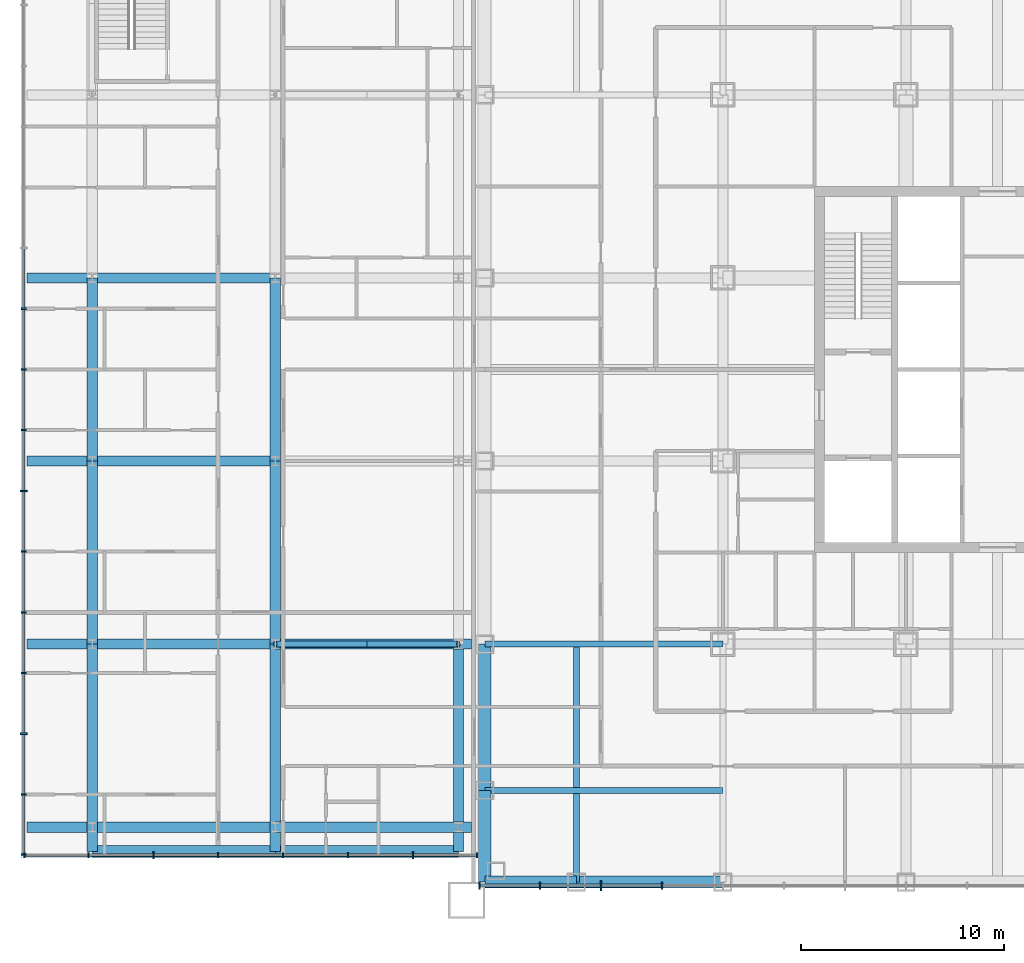
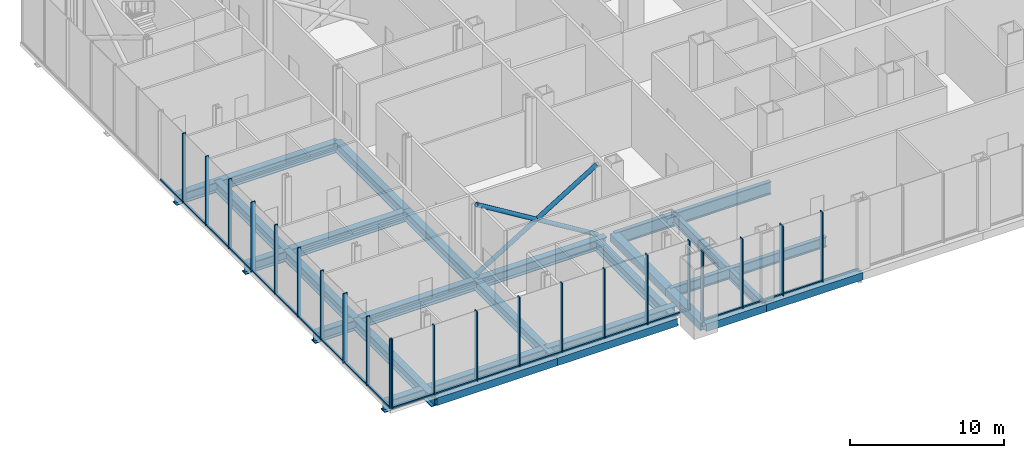
# One storey, part 2 of 25: 44 members, 22 beams, 3 elements without a shape of their own.
"""IFC4 building model written with IfcOpenShell, lengths in metres."""

from ifc_helpers import new_model, si_unit, direction, frame, origin, origin_2d, place, context, subcontext, project, spatial, rectangle, hollow_rectangle, hollow_circle, i_section, extrude, material, layer, layer_set, material_profile, profile_set, type_object, element, aggregate, save


model = new_model("IFC4")

# Units and contexts
model_context = context("Model", 3, precision=1e-05, world=origin(), true_north=direction((0.0, 1.0)))
body_context = subcontext(model_context, "Body", "Model", "MODEL_VIEW")
ifc_project = project(units=[si_unit("LENGTHUNIT", "METRE"), si_unit("AREAUNIT", "SQUARE_METRE"), si_unit("VOLUMEUNIT", "CUBIC_METRE"), si_unit("PLANEANGLEUNIT", "RADIAN"), si_unit("MASSUNIT", "GRAM", prefix="KILO")], contexts=[model_context])

# Site, building, storey
site_placement = place(None, origin())
site = spatial("IfcSite", under=ifc_project, at=site_placement, CompositionType="ELEMENT")
building_placement = place(site_placement, origin())
building = spatial("IfcBuilding", under=site, at=building_placement, Name="Malebo Sky Hospital", CompositionType="ELEMENT")
storey_placement = place(building_placement, frame((0.0, 0.0, 11.0)))
storey = spatial("IfcBuildingStorey", under=building, at=storey_placement, Name="L02", CompositionType="ELEMENT", Elevation=11.0)

# Curtain wall, members
ifc_material_1 = material(Name="Anodised aluminium, natural silver", Category="aluminium")
ifc_layer_1 = layer(ifc_material_1, 0.25)
ifc_layer_set_1 = layer_set([ifc_layer_1], Name="PODIUM CURTAIN WALL")
curtain_wall_type_1 = type_object("IfcCurtainWallType", Name="PODIUM CURTAIN WALL", PredefinedType="NOTDEFINED", material=ifc_layer_set_1)
curtain_wall_1_placement = place(storey_placement, origin())
curtain_wall_1 = element("IfcCurtainWall", 1, at=curtain_wall_1_placement, inside=storey, type_object=curtain_wall_type_1, Name="POD curtain wall WW", PredefinedType="NOTDEFINED")
ifc_material_profile_1 = material_profile(ifc_material_1, rectangle(XDim=0.14990234375, YDim=0.10009765625, at=origin_2d()), Name="ALUMINIUM TRANSOM 150x100")
ifc_profile_set_1 = profile_set([ifc_material_profile_1], Name="Anodised aluminium, natural silver")
member_type_1 = type_object("IfcMemberType", Name="ALUMINIUM TRANSOM 150x100", PredefinedType="USERDEFINED", material=ifc_profile_set_1)
member_1_placement = place(storey_placement, frame((12.125, 67.931396484375, 0.050048828125), z_axis=(0.0, -1.0, 0.0), x_axis=(1.0, 0.0, 0.0)))
member_1 = element("IfcMember", 2, at=member_1_placement, type_object=member_type_1, Name="Transom 7", ObjectType="TRANSOM", PredefinedType="USERDEFINED", context=body_context, shape_type="SweptSolid", body=[
    extrude(rectangle(XDim=0.14990234375, YDim=0.10009765625, at=origin_2d()), origin(), (0.0, 0.0, 1.0), 2.909423828125),
])
member_2_placement = place(storey_placement, frame((12.125, 64.947021484375, 0.050048828125), z_axis=(0.0, -1.0, 0.0), x_axis=(1.0, 0.0, 0.0)))
member_2 = element("IfcMember", 3, at=member_2_placement, type_object=member_type_1, Name="Transom 8", ObjectType="TRANSOM", PredefinedType="USERDEFINED", context=body_context, shape_type="SweptSolid", body=[
    extrude(rectangle(XDim=0.14990234375, YDim=0.10009765625, at=origin_2d()), origin(), (0.0, 0.0, 1.0), 2.909423828125),
])
member_3_placement = place(storey_placement, frame((12.125, 61.96240234375, 0.050048828125), z_axis=(0.0, -1.0, 0.0), x_axis=(1.0, 0.0, 0.0)))
member_3 = element("IfcMember", 4, at=member_3_placement, type_object=member_type_1, Name="Transom 9", ObjectType="TRANSOM", PredefinedType="USERDEFINED", context=body_context, shape_type="SweptSolid", body=[
    extrude(rectangle(XDim=0.14990234375, YDim=0.10009765625, at=origin_2d()), origin(), (0.0, 0.0, 1.0), 2.909423828125),
])
member_4_placement = place(storey_placement, frame((12.125, 58.97802734375, 0.050048828125), z_axis=(0.0, -1.0, 0.0), x_axis=(1.0, 0.0, 0.0)))
member_4 = element("IfcMember", 5, at=member_4_placement, type_object=member_type_1, Name="Transom 10", ObjectType="TRANSOM", PredefinedType="USERDEFINED", context=body_context, shape_type="SweptSolid", body=[
    extrude(rectangle(XDim=0.14990234375, YDim=0.10009765625, at=origin_2d()), origin(), (0.0, 0.0, 1.0), 2.909423828125),
])
member_5_placement = place(storey_placement, frame((12.125, 55.99365234375, 0.050048828125), z_axis=(0.0, -1.0, 0.0), x_axis=(1.0, 0.0, 0.0)))
member_5 = element("IfcMember", 6, at=member_5_placement, type_object=member_type_1, Name="Transom 11", ObjectType="TRANSOM", PredefinedType="USERDEFINED", context=body_context, shape_type="SweptSolid", body=[
    extrude(rectangle(XDim=0.14990234375, YDim=0.10009765625, at=origin_2d()), origin(), (0.0, 0.0, 1.0), 2.9091796875),
])
member_6_placement = place(storey_placement, frame((12.125, 53.009521484375, 0.050048828125), z_axis=(0.0, -1.0, 0.0), x_axis=(1.0, 0.0, 0.0)))
member_6 = element("IfcMember", 7, at=member_6_placement, type_object=member_type_1, Name="Transom 12", ObjectType="TRANSOM", PredefinedType="USERDEFINED", context=body_context, shape_type="SweptSolid", body=[
    extrude(rectangle(XDim=0.14990234375, YDim=0.10009765625, at=origin_2d()), origin(), (0.0, 0.0, 1.0), 2.909423828125),
])
member_7_placement = place(storey_placement, frame((12.125, 50.02490234375, 0.050048828125), z_axis=(0.0, -1.0, 0.0), x_axis=(1.0, 0.0, 0.0)))
member_7 = element("IfcMember", 8, at=member_7_placement, type_object=member_type_1, Name="Transom 13", ObjectType="TRANSOM", PredefinedType="USERDEFINED", context=body_context, shape_type="SweptSolid", body=[
    extrude(rectangle(XDim=0.14990234375, YDim=0.10009765625, at=origin_2d()), origin(), (0.0, 0.0, 1.0), 2.909423828125),
])
member_8_placement = place(storey_placement, frame((12.125, 47.04052734375, 0.050048828125), z_axis=(0.0, -1.0, 0.0), x_axis=(1.0, 0.0, 0.0)))
member_8 = element("IfcMember", 9, at=member_8_placement, type_object=member_type_1, Name="Transom 14", ObjectType="TRANSOM", PredefinedType="USERDEFINED", context=body_context, shape_type="SweptSolid", body=[
    extrude(rectangle(XDim=0.14990234375, YDim=0.10009765625, at=origin_2d()), origin(), (0.0, 0.0, 1.0), 2.9091796875),
])
member_9_placement = place(storey_placement, frame((12.125, 44.056396484375, 0.050048828125), z_axis=(0.0, -1.0, 0.0), x_axis=(1.0, 0.0, 0.0)))
member_9 = element("IfcMember", 10, at=member_9_placement, type_object=member_type_1, Name="Transom 15", ObjectType="TRANSOM", PredefinedType="USERDEFINED", context=body_context, shape_type="SweptSolid", body=[
    extrude(rectangle(XDim=0.14990234375, YDim=0.10009765625, at=origin_2d()), origin(), (0.0, 0.0, 1.0), 2.909423828125),
])
member_10_placement = place(storey_placement, frame((12.125, 41.072021484375, 0.050048828125), z_axis=(0.0, -1.0, 0.0), x_axis=(1.0, 0.0, 0.0)))
member_10 = element("IfcMember", 11, at=member_10_placement, type_object=member_type_1, Name="Transom 16", ObjectType="TRANSOM", PredefinedType="USERDEFINED", context=body_context, shape_type="SweptSolid", body=[
    extrude(rectangle(XDim=0.14990234375, YDim=0.10009765625, at=origin_2d()), origin(), (0.0, 0.0, 1.0), 2.8720703125),
])

curtain_wall_2_placement = place(storey_placement, origin())
curtain_wall_2 = element("IfcCurtainWall", 12, at=curtain_wall_2_placement, inside=storey, type_object=curtain_wall_type_1, Name="POD curtain wall WS", PredefinedType="NOTDEFINED")
member_11_placement = place(storey_placement, frame((12.199951171875, 38.125, 0.050048828125), z_axis=(1.0, 0.0, 0.0), x_axis=(0.0, 1.0, 0.0)))
member_11 = element("IfcMember", 13, at=member_11_placement, type_object=member_type_1, Name="Transom 1", ObjectType="TRANSOM", PredefinedType="USERDEFINED", context=body_context, shape_type="SweptSolid", body=[
    extrude(rectangle(XDim=0.14990234375, YDim=0.10009765625, at=origin_2d()), origin(), (0.0, 0.0, 1.0), 3.076904296875),
])
member_12_placement = place(storey_placement, frame((15.351806640625, 38.125, 0.050048828125), z_axis=(1.0, 0.0, 0.0), x_axis=(0.0, 1.0, 0.0)))
member_12 = element("IfcMember", 14, at=member_12_placement, type_object=member_type_1, Name="Transom 2", ObjectType="TRANSOM", PredefinedType="USERDEFINED", context=body_context, shape_type="SweptSolid", body=[
    extrude(rectangle(XDim=0.14990234375, YDim=0.10009765625, at=origin_2d()), origin(), (0.0, 0.0, 1.0), 3.1142578125),
])
member_13_placement = place(storey_placement, frame((18.541015625, 38.125, 0.050048828125), z_axis=(1.0, 0.0, 0.0), x_axis=(0.0, 1.0, 0.0)))
member_13 = element("IfcMember", 15, at=member_13_placement, type_object=member_type_1, Name="Transom 3", ObjectType="TRANSOM", PredefinedType="USERDEFINED", context=body_context, shape_type="SweptSolid", body=[
    extrude(rectangle(XDim=0.14990234375, YDim=0.10009765625, at=origin_2d()), origin(), (0.0, 0.0, 1.0), 3.114501953125),
])
member_14_placement = place(storey_placement, frame((21.73046875, 38.125, 0.050048828125), z_axis=(1.0, 0.0, 0.0), x_axis=(0.0, 1.0, 0.0)))
member_14 = element("IfcMember", 16, at=member_14_placement, type_object=member_type_1, Name="Transom 4", ObjectType="TRANSOM", PredefinedType="USERDEFINED", context=body_context, shape_type="SweptSolid", body=[
    extrude(rectangle(XDim=0.14990234375, YDim=0.10009765625, at=origin_2d()), origin(), (0.0, 0.0, 1.0), 3.114013671875),
])
member_15_placement = place(storey_placement, frame((24.919677734375, 38.125, 0.050048828125), z_axis=(1.0, 0.0, 0.0), x_axis=(0.0, 1.0, 0.0)))
member_15 = element("IfcMember", 17, at=member_15_placement, type_object=member_type_1, Name="Transom 5", ObjectType="TRANSOM", PredefinedType="USERDEFINED", context=body_context, shape_type="SweptSolid", body=[
    extrude(rectangle(XDim=0.14990234375, YDim=0.10009765625, at=origin_2d()), origin(), (0.0, 0.0, 1.0), 3.1142578125),
])
member_16_placement = place(storey_placement, frame((28.10888671875, 38.125, 0.050048828125), z_axis=(1.0, 0.0, 0.0), x_axis=(0.0, 1.0, 0.0)))
member_16 = element("IfcMember", 18, at=member_16_placement, type_object=member_type_1, Name="Transom 6", ObjectType="TRANSOM", PredefinedType="USERDEFINED", context=body_context, shape_type="SweptSolid", body=[
    extrude(rectangle(XDim=0.14990234375, YDim=0.10009765625, at=origin_2d()), origin(), (0.0, 0.0, 1.0), 3.1142578125),
])
member_17_placement = place(storey_placement, frame((31.298095703125, 38.125, 0.050048828125), z_axis=(1.0, 0.0, 0.0), x_axis=(0.0, 1.0, 0.0)))
member_17 = element("IfcMember", 19, at=member_17_placement, type_object=member_type_1, Name="Transom 7", ObjectType="TRANSOM", PredefinedType="USERDEFINED", context=body_context, shape_type="SweptSolid", body=[
    extrude(rectangle(XDim=0.14990234375, YDim=0.10009765625, at=origin_2d()), origin(), (0.0, 0.0, 1.0), 3.076904296875),
])

ifc_layer_2 = layer(ifc_material_1, 0.25)
ifc_layer_set_2 = layer_set([ifc_layer_2], Name="PODIUM ENTRANCE BAY CURTAIN WALL")
curtain_wall_type_2 = type_object("IfcCurtainWallType", Name="PODIUM ENTRANCE BAY CURTAIN WALL", PredefinedType="NOTDEFINED", material=ifc_layer_set_2)
curtain_wall_3_placement = place(storey_placement, origin())
curtain_wall_3 = element("IfcCurtainWall", 20, at=curtain_wall_3_placement, inside=storey, type_object=curtain_wall_type_2, Name="BAY curtain wall BS", PredefinedType="NOTDEFINED")
member_18_placement = place(storey_placement, frame((34.574951171875, 36.625, 0.050048828125), z_axis=(1.0, 0.0, 0.0), x_axis=(0.0, 1.0, 0.0)))
member_18 = element("IfcMember", 21, at=member_18_placement, type_object=member_type_1, Name="Transom 1", ObjectType="TRANSOM", PredefinedType="USERDEFINED", context=body_context, shape_type="SweptSolid", body=[
    extrude(rectangle(XDim=0.14990234375, YDim=0.10009765625, at=origin_2d()), origin(), (0.0, 0.0, 1.0), 2.887451171875),
])
member_19_placement = place(storey_placement, frame((37.53759765625, 36.625, 0.050048828125), z_axis=(1.0, 0.0, 0.0), x_axis=(0.0, 1.0, 0.0)))
member_19 = element("IfcMember", 22, at=member_19_placement, type_object=member_type_1, Name="Transom 2", ObjectType="TRANSOM", PredefinedType="USERDEFINED", context=body_context, shape_type="SweptSolid", body=[
    extrude(rectangle(XDim=0.14990234375, YDim=0.10009765625, at=origin_2d()), origin(), (0.0, 0.0, 1.0), 2.9248046875),
])
member_20_placement = place(storey_placement, frame((40.53759765625, 36.625, 0.050048828125), z_axis=(1.0, 0.0, 0.0), x_axis=(0.0, 1.0, 0.0)))
member_20 = element("IfcMember", 23, at=member_20_placement, type_object=member_type_1, Name="Transom 3", ObjectType="TRANSOM", PredefinedType="USERDEFINED", context=body_context, shape_type="SweptSolid", body=[
    extrude(rectangle(XDim=0.14990234375, YDim=0.10009765625, at=origin_2d()), origin(), (0.0, 0.0, 1.0), 2.9248046875),
])

# Member
ifc_material_profile_2 = material_profile(ifc_material_1, rectangle(XDim=0.074951171875, YDim=0.25, at=origin_2d()), Name="CW3 ALUMINIUM FIN MULLION 75x250")
ifc_profile_set_2 = profile_set([ifc_material_profile_2], Name="Anodised aluminium, natural silver")
member_type_2 = type_object("IfcMemberType", Name="CW3 ALUMINIUM FIN MULLION 75x250", PredefinedType="MULLION", material=ifc_profile_set_2)
member_21_placement = place(storey_placement, frame((12.125, 64.984375, 0.0), z_axis=(0.0, 0.0, 1.0), x_axis=(0.0, -1.0, 0.0)))
member_21 = element("IfcMember", 24, at=member_21_placement, type_object=member_type_2, Name="Fin mullion 8", PredefinedType="MULLION", context=body_context, shape_type="SweptSolid", body=[
    extrude(rectangle(XDim=0.074951171875, YDim=0.25, at=origin_2d()), origin(), (0.0, 0.0, 1.0), 5.5),
])

member_22_placement = place(storey_placement, frame((12.125, 62.0, 0.0), z_axis=(0.0, 0.0, 1.0), x_axis=(0.0, -1.0, 0.0)))
member_22 = element("IfcMember", 25, at=member_22_placement, type_object=member_type_2, Name="Fin mullion 9", PredefinedType="MULLION", context=body_context, shape_type="SweptSolid", body=[
    extrude(rectangle(XDim=0.074951171875, YDim=0.25, at=origin_2d()), origin(), (0.0, 0.0, 1.0), 5.5),
])

member_23_placement = place(storey_placement, frame((12.125, 59.015625, 0.0), z_axis=(0.0, 0.0, 1.0), x_axis=(0.0, -1.0, 0.0)))
member_23 = element("IfcMember", 26, at=member_23_placement, type_object=member_type_2, Name="Fin mullion 10", PredefinedType="MULLION", context=body_context, shape_type="SweptSolid", body=[
    extrude(rectangle(XDim=0.074951171875, YDim=0.25, at=origin_2d()), origin(), (0.0, 0.0, 1.0), 5.5),
])

member_24_placement = place(storey_placement, frame((12.125, 53.046875, 0.0), z_axis=(0.0, 0.0, 1.0), x_axis=(0.0, -1.0, 0.0)))
member_24 = element("IfcMember", 27, at=member_24_placement, type_object=member_type_2, Name="Fin mullion 12", PredefinedType="MULLION", context=body_context, shape_type="SweptSolid", body=[
    extrude(rectangle(XDim=0.074951171875, YDim=0.25, at=origin_2d()), origin(), (0.0, 0.0, 1.0), 5.5),
])

member_25_placement = place(storey_placement, frame((12.125, 50.0625, 0.0), z_axis=(0.0, 0.0, 1.0), x_axis=(0.0, -1.0, 0.0)))
member_25 = element("IfcMember", 28, at=member_25_placement, type_object=member_type_2, Name="Fin mullion 13", PredefinedType="MULLION", context=body_context, shape_type="SweptSolid", body=[
    extrude(rectangle(XDim=0.074951171875, YDim=0.25, at=origin_2d()), origin(), (0.0, 0.0, 1.0), 5.5),
])

member_26_placement = place(storey_placement, frame((12.125, 47.078125, 0.0), z_axis=(0.0, 0.0, 1.0), x_axis=(0.0, -1.0, 0.0)))
member_26 = element("IfcMember", 29, at=member_26_placement, type_object=member_type_2, Name="Fin mullion 14", PredefinedType="MULLION", context=body_context, shape_type="SweptSolid", body=[
    extrude(rectangle(XDim=0.074951171875, YDim=0.25, at=origin_2d()), origin(), (0.0, 0.0, 1.0), 5.5),
])

member_27_placement = place(storey_placement, frame((12.125, 41.109375, 0.0), z_axis=(0.0, 0.0, 1.0), x_axis=(0.0, -1.0, 0.0)))
member_27 = element("IfcMember", 30, at=member_27_placement, type_object=member_type_2, Name="Fin mullion 16", PredefinedType="MULLION", context=body_context, shape_type="SweptSolid", body=[
    extrude(rectangle(XDim=0.074951171875, YDim=0.25, at=origin_2d()), origin(), (0.0, 0.0, 1.0), 5.5),
])

member_28_placement = place(storey_placement, frame((12.125, 38.16259765625, 0.0), z_axis=(0.0, 0.0, 1.0), x_axis=(0.0, -1.0, 0.0)))
member_28 = element("IfcMember", 31, at=member_28_placement, type_object=member_type_2, Name="Fin mullion 17", PredefinedType="MULLION", context=body_context, shape_type="SweptSolid", body=[
    extrude(rectangle(XDim=0.074951171875, YDim=0.25, at=origin_2d()), origin(), (0.0, 0.0, 1.0), 5.5),
])

member_29_placement = place(storey_placement, frame((12.16259765625, 38.125, 0.0), z_axis=(0.0, 0.0, 1.0), x_axis=(1.0, 0.0, 0.0)))
member_29 = element("IfcMember", 32, at=member_29_placement, type_object=member_type_2, Name="Fin mullion 1", PredefinedType="MULLION", context=body_context, shape_type="SweptSolid", body=[
    extrude(rectangle(XDim=0.074951171875, YDim=0.25, at=origin_2d()), origin(), (0.0, 0.0, 1.0), 5.5),
])

member_30_placement = place(storey_placement, frame((15.314208984375, 38.125, 0.0), z_axis=(0.0, 0.0, 1.0), x_axis=(1.0, 0.0, 0.0)))
member_30 = element("IfcMember", 33, at=member_30_placement, type_object=member_type_2, Name="Fin mullion 2", PredefinedType="MULLION", context=body_context, shape_type="SweptSolid", body=[
    extrude(rectangle(XDim=0.074951171875, YDim=0.25, at=origin_2d()), origin(), (0.0, 0.0, 1.0), 5.5),
])

member_31_placement = place(storey_placement, frame((21.69287109375, 38.125, 0.0), z_axis=(0.0, 0.0, 1.0), x_axis=(1.0, 0.0, 0.0)))
member_31 = element("IfcMember", 34, at=member_31_placement, type_object=member_type_2, Name="Fin mullion 4", PredefinedType="MULLION", context=body_context, shape_type="SweptSolid", body=[
    extrude(rectangle(XDim=0.074951171875, YDim=0.25, at=origin_2d()), origin(), (0.0, 0.0, 1.0), 5.5),
])

member_32_placement = place(storey_placement, frame((24.882080078125, 38.125, 0.0), z_axis=(0.0, 0.0, 1.0), x_axis=(1.0, 0.0, 0.0)))
member_32 = element("IfcMember", 35, at=member_32_placement, type_object=member_type_2, Name="Fin mullion 5", PredefinedType="MULLION", context=body_context, shape_type="SweptSolid", body=[
    extrude(rectangle(XDim=0.074951171875, YDim=0.25, at=origin_2d()), origin(), (0.0, 0.0, 1.0), 5.5),
])

member_33_placement = place(storey_placement, frame((28.0712890625, 38.125, 0.0), z_axis=(0.0, 0.0, 1.0), x_axis=(1.0, 0.0, 0.0)))
member_33 = element("IfcMember", 36, at=member_33_placement, type_object=member_type_2, Name="Fin mullion 6", PredefinedType="MULLION", context=body_context, shape_type="SweptSolid", body=[
    extrude(rectangle(XDim=0.074951171875, YDim=0.25, at=origin_2d()), origin(), (0.0, 0.0, 1.0), 5.5),
])

member_34_placement = place(storey_placement, frame((34.41259765625, 38.125, 0.0), z_axis=(0.0, 0.0, 1.0), x_axis=(1.0, 0.0, 0.0)))
member_34 = element("IfcMember", 37, at=member_34_placement, type_object=member_type_2, Name="Fin mullion 8", PredefinedType="MULLION", context=body_context, shape_type="SweptSolid", body=[
    extrude(rectangle(XDim=0.074951171875, YDim=0.25, at=origin_2d()), origin(), (0.0, 0.0, 1.0), 5.5),
])

ifc_material_profile_3 = material_profile(ifc_material_1, rectangle(XDim=0.074951171875, YDim=0.35009765625, at=origin_2d()), Name="CW3 ALUMINIUM FIN MULLION 75x350")
ifc_profile_set_3 = profile_set([ifc_material_profile_3], Name="Anodised aluminium, natural silver")
member_type_3 = type_object("IfcMemberType", Name="CW3 ALUMINIUM FIN MULLION 75x350", PredefinedType="MULLION", material=ifc_profile_set_3)
member_35_placement = place(storey_placement, frame((12.125, 56.03125, 0.0), z_axis=(0.0, 0.0, 1.0), x_axis=(0.0, -1.0, 0.0)))
member_35 = element("IfcMember", 38, at=member_35_placement, type_object=member_type_3, Name="Fin mullion 11", PredefinedType="MULLION", context=body_context, shape_type="SweptSolid", body=[
    extrude(rectangle(XDim=0.074951171875, YDim=0.35009765625, at=origin_2d()), origin(), (0.0, 0.0, 1.0), 5.5),
])

member_36_placement = place(storey_placement, frame((12.125, 44.09375, 0.0), z_axis=(0.0, 0.0, 1.0), x_axis=(0.0, -1.0, 0.0)))
member_36 = element("IfcMember", 39, at=member_36_placement, type_object=member_type_3, Name="Fin mullion 15", PredefinedType="MULLION", context=body_context, shape_type="SweptSolid", body=[
    extrude(rectangle(XDim=0.074951171875, YDim=0.35009765625, at=origin_2d()), origin(), (0.0, 0.0, 1.0), 5.5),
])

aggregate(curtain_wall_1, [member_21, member_22, member_23, member_35, member_24, member_25, member_26, member_36, member_27, member_28, member_1, member_2, member_3, member_4, member_5, member_6, member_7, member_8, member_9, member_10])

member_37_placement = place(storey_placement, frame((18.503662109375, 38.125, 0.0), z_axis=(0.0, 0.0, 1.0), x_axis=(1.0, 0.0, 0.0)))
member_37 = element("IfcMember", 40, at=member_37_placement, type_object=member_type_3, Name="Fin mullion 3", PredefinedType="MULLION", context=body_context, shape_type="SweptSolid", body=[
    extrude(rectangle(XDim=0.074951171875, YDim=0.35009765625, at=origin_2d()), origin(), (0.0, 0.0, 1.0), 5.5),
])

member_38_placement = place(storey_placement, frame((31.2607421875, 38.125, 0.0), z_axis=(0.0, 0.0, 1.0), x_axis=(1.0, 0.0, 0.0)))
member_38 = element("IfcMember", 41, at=member_38_placement, type_object=member_type_3, Name="Fin mullion 7", PredefinedType="MULLION", context=body_context, shape_type="SweptSolid", body=[
    extrude(rectangle(XDim=0.074951171875, YDim=0.35009765625, at=origin_2d()), origin(), (0.0, 0.0, 1.0), 5.5),
])

aggregate(curtain_wall_2, [member_29, member_30, member_37, member_31, member_32, member_33, member_38, member_34, member_11, member_12, member_13, member_14, member_15, member_16, member_17])

ifc_material_profile_4 = material_profile(ifc_material_1, rectangle(XDim=0.074951171875, YDim=0.35009765625, at=origin_2d()), Name="CW4 ALUMINIUM FIN MULLION 75x350")
ifc_profile_set_4 = profile_set([ifc_material_profile_4], Name="Anodised aluminium, natural silver")
member_type_4 = type_object("IfcMemberType", Name="CW4 ALUMINIUM FIN MULLION 75x350", PredefinedType="MULLION", material=ifc_profile_set_4)
member_39_placement = place(storey_placement, frame((34.53759765625, 36.625, 0.0), z_axis=(0.0, 0.0, 1.0), x_axis=(1.0, 0.0, 0.0)))
member_39 = element("IfcMember", 42, at=member_39_placement, type_object=member_type_4, Name="Fin mullion 1", PredefinedType="MULLION", context=body_context, shape_type="SweptSolid", body=[
    extrude(rectangle(XDim=0.074951171875, YDim=0.35009765625, at=origin_2d()), origin(), (0.0, 0.0, 1.0), 5.5),
])

member_40_placement = place(storey_placement, frame((37.5, 36.625, 0.0), z_axis=(0.0, 0.0, 1.0), x_axis=(1.0, 0.0, 0.0)))
member_40 = element("IfcMember", 43, at=member_40_placement, type_object=member_type_4, Name="Fin mullion 2", PredefinedType="MULLION", context=body_context, shape_type="SweptSolid", body=[
    extrude(rectangle(XDim=0.074951171875, YDim=0.35009765625, at=origin_2d()), origin(), (0.0, 0.0, 1.0), 5.5),
])

member_41_placement = place(storey_placement, frame((43.5, 36.625, 0.0), z_axis=(0.0, 0.0, 1.0), x_axis=(1.0, 0.0, 0.0)))
member_41 = element("IfcMember", 44, at=member_41_placement, type_object=member_type_4, Name="Fin mullion 4", PredefinedType="MULLION", context=body_context, shape_type="SweptSolid", body=[
    extrude(rectangle(XDim=0.074951171875, YDim=0.35009765625, at=origin_2d()), origin(), (0.0, 0.0, 1.0), 5.5),
])

ifc_material_profile_5 = material_profile(ifc_material_1, rectangle(XDim=0.074951171875, YDim=0.5, at=origin_2d()), Name="CW4 ALUMINIUM FIN MULLION 75x500")
ifc_profile_set_5 = profile_set([ifc_material_profile_5], Name="Anodised aluminium, natural silver")
member_type_5 = type_object("IfcMemberType", Name="CW4 ALUMINIUM FIN MULLION 75x500", PredefinedType="MULLION", material=ifc_profile_set_5)
member_42_placement = place(storey_placement, frame((40.5, 36.625, 0.0), z_axis=(0.0, 0.0, 1.0), x_axis=(1.0, 0.0, 0.0)))
member_42 = element("IfcMember", 45, at=member_42_placement, type_object=member_type_5, Name="Fin mullion 3", PredefinedType="MULLION", context=body_context, shape_type="SweptSolid", body=[
    extrude(rectangle(XDim=0.074951171875, YDim=0.5, at=origin_2d()), origin(), (0.0, 0.0, 1.0), 5.5),
])

aggregate(curtain_wall_3, [member_39, member_40, member_42, member_41, member_18, member_19, member_20])

# Beams
ifc_material_2 = material(Name="Steel S460", Category="steel")
ifc_material_profile_6 = material_profile(ifc_material_2, hollow_rectangle(XDim=0.60009765625, YDim=0.60009765625, WallThickness=0.0400390625, at=origin_2d()), Name="BOX 600x600x40")
ifc_profile_set_6 = profile_set([ifc_material_profile_6], Name="Steel S460")
beam_type_1 = type_object("IfcBeamType", Name="EDGE BEAM BOX 600x600x40", PredefinedType="BEAM", material=ifc_profile_set_6)
beam_1_placement = place(storey_placement, frame((34.800048828125, 36.800048828125, -0.60009765625), z_axis=(0.0, 1.0, 0.0), x_axis=(-1.0, 0.0, 0.0)))
element("IfcBeam", 46, at=beam_1_placement, inside=storey, type_object=beam_type_1, Name="Beam 000 L02", PredefinedType="BEAM", context=body_context, shape_type="SweptSolid", body=[
    extrude(hollow_rectangle(XDim=0.60009765625, YDim=0.60009765625, WallThickness=0.0400390625, at=origin_2d()), origin(), (0.0, 0.0, 1.0), 4.5),
])
beam_2_placement = place(storey_placement, frame((34.800048828125, 41.300048828125, -0.60009765625), z_axis=(0.0, 1.0, 0.0), x_axis=(-1.0, 0.0, 0.0)))
element("IfcBeam", 47, at=beam_2_placement, inside=storey, type_object=beam_type_1, Name="Beam 001 L02", PredefinedType="BEAM", context=body_context, shape_type="SweptSolid", body=[
    extrude(hollow_rectangle(XDim=0.60009765625, YDim=0.60009765625, WallThickness=0.0400390625, at=origin_2d()), origin(), (0.0, 0.0, 1.0), 7.199951171875),
])
beam_3_placement = place(storey_placement, frame((34.800048828125, 36.800048828125, -0.60009765625), z_axis=(1.0, 0.0, 0.0), x_axis=(0.0, 1.0, 0.0)))
element("IfcBeam", 48, at=beam_3_placement, inside=storey, type_object=beam_type_1, Name="Beam 038 L02", PredefinedType="BEAM", context=body_context, shape_type="SweptSolid", body=[
    extrude(hollow_rectangle(XDim=0.60009765625, YDim=0.60009765625, WallThickness=0.0400390625, at=origin_2d()), origin(), (0.0, 0.0, 1.0), 4.5),
])
beam_4_placement = place(storey_placement, frame((39.300048828125, 36.800048828125, -0.60009765625), z_axis=(1.0, 0.0, 0.0), x_axis=(0.0, 1.0, 0.0)))
element("IfcBeam", 49, at=beam_4_placement, inside=storey, type_object=beam_type_1, Name="Beam 039 L02", PredefinedType="BEAM", context=body_context, shape_type="SweptSolid", body=[
    extrude(hollow_rectangle(XDim=0.60009765625, YDim=0.60009765625, WallThickness=0.0400390625, at=origin_2d()), origin(), (0.0, 0.0, 1.0), 7.199951171875),
])
for number, where, z_axis, x_axis, name in (
    (50, (15.5, 38.300048828125, -0.60009765625), (1.0, 0.0, 0.0), (0.0, 1.0, 0.0), "Beam W028 L02"),
    (51, (24.5, 38.300048828125, -0.60009765625), (1.0, 0.0, 0.0), (0.0, 1.0, 0.0), "Beam W029 L02"),
):
    element("IfcBeam", number, at=place(storey_placement, frame(where, z_axis=z_axis, x_axis=x_axis)), inside=storey, type_object=beam_type_1, Name=name, PredefinedType="BEAM", context=body_context, shape_type="SweptSolid", body=[
        extrude(hollow_rectangle(XDim=0.60009765625, YDim=0.60009765625, WallThickness=0.0400390625, at=origin_2d()), origin(), (0.0, 0.0, 1.0), 9.0),
    ])
ifc_material_3 = material(Name="Steel S355", Category="steel")
ifc_material_profile_7 = material_profile(ifc_material_3, i_section(OverallWidth=0.300048828125, OverallDepth=0.800048828125, WebThickness=0.017578125, FlangeThickness=0.032958984375, FilletRadius=0.030029296875, at=origin_2d()), Name="HEB 800")
ifc_profile_set_7 = profile_set([ifc_material_profile_7], Name="Steel S355")
beam_type_2 = type_object("IfcBeamType", Name="FLOOR BEAM HEB 800", PredefinedType="BEAM", material=ifc_profile_set_7)
for number, where, z_axis, x_axis, name in (
    (52, (39.300048828125, 36.800048828125, -0.699951171875), (0.0, 1.0, 0.0), (-1.0, 0.0, 0.0), "Beam 007 L02"),
    (53, (34.800048828125, 41.300048828125, -0.699951171875), (1.0, 0.0, 0.0), (0.0, 1.0, 0.0), "Beam 045 L02"),
):
    element("IfcBeam", number, at=place(storey_placement, frame(where, z_axis=z_axis, x_axis=x_axis)), inside=storey, type_object=beam_type_2, Name=name, PredefinedType="BEAM", context=body_context, shape_type="SweptSolid", body=[
        extrude(i_section(OverallWidth=0.300048828125, OverallDepth=0.800048828125, WebThickness=0.017578125, FlangeThickness=0.032958984375, FilletRadius=0.030029296875, at=origin_2d()), origin(), (0.0, 0.0, 1.0), 11.699951171875),
    ])
ifc_material_profile_8 = material_profile(ifc_material_3, i_section(OverallWidth=0.5, OverallDepth=0.800048828125, WebThickness=0.030029296875, FlangeThickness=0.050048828125, at=origin_2d()), Name="PG 800x500x30x50")
ifc_profile_set_8 = profile_set([ifc_material_profile_8], Name="Steel S355")
beam_type_3 = type_object("IfcBeamType", Name="FLOOR BEAM PG 800x500x30x50", PredefinedType="BEAM", material=ifc_profile_set_8)
beam_5_placement = place(storey_placement, frame((15.5, 38.300048828125, -0.699951171875), z_axis=(0.0, 1.0, 0.0), x_axis=(-1.0, 0.0, 0.0)))
element("IfcBeam", 54, at=beam_5_placement, inside=storey, type_object=beam_type_3, Name="Beam W001 L02", PredefinedType="BEAM", context=body_context, shape_type="SweptSolid", body=[
    extrude(i_section(OverallWidth=0.5, OverallDepth=0.800048828125, WebThickness=0.030029296875, FlangeThickness=0.050048828125, at=origin_2d()), origin(), (0.0, 0.0, 1.0), 10.199951171875),
])
for number, where, z_axis, x_axis, name in (
    (55, (15.5, 48.5, -0.699951171875), (0.0, 1.0, 0.0), (-1.0, 0.0, 0.0), "Beam W002 L02"),
    (56, (15.5, 57.5, -0.699951171875), (0.0, 1.0, 0.0), (-1.0, 0.0, 0.0), "Beam W003 L02"),
):
    element("IfcBeam", number, at=place(storey_placement, frame(where, z_axis=z_axis, x_axis=x_axis)), inside=storey, type_object=beam_type_3, Name=name, PredefinedType="BEAM", context=body_context, shape_type="SweptSolid", body=[
        extrude(i_section(OverallWidth=0.5, OverallDepth=0.800048828125, WebThickness=0.030029296875, FlangeThickness=0.050048828125, at=origin_2d()), origin(), (0.0, 0.0, 1.0), 9.0),
    ])
beam_6_placement = place(storey_placement, frame((24.5, 38.300048828125, -0.699951171875), z_axis=(0.0, 1.0, 0.0), x_axis=(-1.0, 0.0, 0.0)))
element("IfcBeam", 57, at=beam_6_placement, inside=storey, type_object=beam_type_3, Name="Beam W006 L02", PredefinedType="BEAM", context=body_context, shape_type="SweptSolid", body=[
    extrude(i_section(OverallWidth=0.5, OverallDepth=0.800048828125, WebThickness=0.030029296875, FlangeThickness=0.050048828125, at=origin_2d()), origin(), (0.0, 0.0, 1.0), 10.199951171875),
])
for number, where, z_axis, x_axis, name in (
    (58, (24.5, 48.5, -0.699951171875), (0.0, 1.0, 0.0), (-1.0, 0.0, 0.0), "Beam W007 L02"),
    (59, (24.5, 57.5, -0.699951171875), (0.0, 1.0, 0.0), (-1.0, 0.0, 0.0), "Beam W008 L02"),
):
    element("IfcBeam", number, at=place(storey_placement, frame(where, z_axis=z_axis, x_axis=x_axis)), inside=storey, type_object=beam_type_3, Name=name, PredefinedType="BEAM", context=body_context, shape_type="SweptSolid", body=[
        extrude(i_section(OverallWidth=0.5, OverallDepth=0.800048828125, WebThickness=0.030029296875, FlangeThickness=0.050048828125, at=origin_2d()), origin(), (0.0, 0.0, 1.0), 9.0),
    ])
beam_7_placement = place(storey_placement, frame((33.5, 38.300048828125, -0.699951171875), z_axis=(0.0, 1.0, 0.0), x_axis=(-1.0, 0.0, 0.0)))
element("IfcBeam", 60, at=beam_7_placement, inside=storey, type_object=beam_type_3, Name="Beam W011 L02", PredefinedType="BEAM", context=body_context, shape_type="SweptSolid", body=[
    extrude(i_section(OverallWidth=0.5, OverallDepth=0.800048828125, WebThickness=0.030029296875, FlangeThickness=0.050048828125, at=origin_2d()), origin(), (0.0, 0.0, 1.0), 10.199951171875),
])
beam_8_placement = place(storey_placement, frame((12.300048828125, 39.5, -0.699951171875), z_axis=(1.0, 0.0, 0.0), x_axis=(0.0, 1.0, 0.0)))
element("IfcBeam", 61, at=beam_8_placement, inside=storey, type_object=beam_type_3, Name="Beam W016 L02", PredefinedType="BEAM", context=body_context, shape_type="SweptSolid", body=[
    extrude(i_section(OverallWidth=0.5, OverallDepth=0.800048828125, WebThickness=0.030029296875, FlangeThickness=0.050048828125, at=origin_2d()), origin(), (0.0, 0.0, 1.0), 12.199951171875),
])
beam_9_placement = place(storey_placement, frame((24.5, 39.5, -0.699951171875), z_axis=(1.0, 0.0, 0.0), x_axis=(0.0, 1.0, 0.0)))
element("IfcBeam", 62, at=beam_9_placement, inside=storey, type_object=beam_type_3, Name="Beam W017 L02", PredefinedType="BEAM", context=body_context, shape_type="SweptSolid", body=[
    extrude(i_section(OverallWidth=0.5, OverallDepth=0.800048828125, WebThickness=0.030029296875, FlangeThickness=0.050048828125, at=origin_2d()), origin(), (0.0, 0.0, 1.0), 9.64990234375),
])
beam_10_placement = place(storey_placement, frame((12.300048828125, 48.5, -0.699951171875), z_axis=(1.0, 0.0, 0.0), x_axis=(0.0, 1.0, 0.0)))
element("IfcBeam", 63, at=beam_10_placement, inside=storey, type_object=beam_type_3, Name="Beam W018 L02", PredefinedType="BEAM", context=body_context, shape_type="SweptSolid", body=[
    extrude(i_section(OverallWidth=0.5, OverallDepth=0.800048828125, WebThickness=0.030029296875, FlangeThickness=0.050048828125, at=origin_2d()), origin(), (0.0, 0.0, 1.0), 12.199951171875),
])
beam_11_placement = place(storey_placement, frame((24.5, 48.5, -0.699951171875), z_axis=(1.0, 0.0, 0.0), x_axis=(0.0, 1.0, 0.0)))
element("IfcBeam", 64, at=beam_11_placement, inside=storey, type_object=beam_type_3, Name="Beam W019 L02", PredefinedType="BEAM", context=body_context, shape_type="SweptSolid", body=[
    extrude(i_section(OverallWidth=0.5, OverallDepth=0.800048828125, WebThickness=0.030029296875, FlangeThickness=0.050048828125, at=origin_2d()), origin(), (0.0, 0.0, 1.0), 9.64990234375),
])
for number, where, z_axis, x_axis, name in (
    (65, (12.300048828125, 57.5, -0.699951171875), (1.0, 0.0, 0.0), (0.0, 1.0, 0.0), "Beam W020 L02"),
    (66, (12.300048828125, 66.5, -0.699951171875), (1.0, 0.0, 0.0), (0.0, 1.0, 0.0), "Beam W022 L02"),
):
    element("IfcBeam", number, at=place(storey_placement, frame(where, z_axis=z_axis, x_axis=x_axis)), inside=storey, type_object=beam_type_3, Name=name, PredefinedType="BEAM", context=body_context, shape_type="SweptSolid", body=[
        extrude(i_section(OverallWidth=0.5, OverallDepth=0.800048828125, WebThickness=0.030029296875, FlangeThickness=0.050048828125, at=origin_2d()), origin(), (0.0, 0.0, 1.0), 12.199951171875),
    ])
ifc_material_profile_9 = material_profile(ifc_material_3, i_section(OverallWidth=0.300048828125, OverallDepth=1.0, WebThickness=0.01904296875, FlangeThickness=0.035888671875, FilletRadius=0.030029296875, at=origin_2d()), Name="HEB 1000")
ifc_profile_set_9 = profile_set([ifc_material_profile_9], Name="Steel S355")
beam_type_4 = type_object("IfcBeamType", Name="FLOOR GIRDER HEB 1000", PredefinedType="BEAM", material=ifc_profile_set_9)
beam_12_placement = place(storey_placement, frame((34.800048828125, 48.5, -0.800048828125), z_axis=(1.0, 0.0, 0.0), x_axis=(0.0, 1.0, 0.0)))
element("IfcBeam", 67, at=beam_12_placement, inside=storey, type_object=beam_type_4, Name="Beam 047 L02", PredefinedType="BEAM", context=body_context, shape_type="SweptSolid", body=[
    extrude(i_section(OverallWidth=0.300048828125, OverallDepth=1.0, WebThickness=0.01904296875, FlangeThickness=0.035888671875, FilletRadius=0.030029296875, at=origin_2d()), origin(), (0.0, 0.0, 1.0), 11.699951171875),
])

# Members
ifc_material_profile_10 = material_profile(ifc_material_2, hollow_circle(Radius=0.161865234375, WallThickness=0.012451171875, at=origin_2d()), Name="CHS 323.9x12.5")
ifc_profile_set_10 = profile_set([ifc_material_profile_10], Name="Steel S460")
member_type_6 = type_object("IfcMemberType", Name="WING BRACE CHS 323.9x12.5", PredefinedType="BRACE", material=ifc_profile_set_10)
for number, where, z_axis, x_axis, name in (
    (68, (24.5, 48.5, 0.0), (0.853281833652, 0.0, 0.521450009454), (0.0, 1.0, 0.0), "Wing brace W2.1 L02"),
    (69, (33.5, 48.5, 0.0), (-0.853281833652, 0.0, 0.521450009454), (0.0, -1.0, 0.0), "Wing brace W2.2 L02"),
):
    element("IfcMember", number, at=place(storey_placement, frame(where, z_axis=z_axis, x_axis=x_axis)), inside=storey, type_object=member_type_6, Name=name, PredefinedType="BRACE", context=body_context, shape_type="SweptSolid", body=[
        extrude(hollow_circle(Radius=0.161865234375, WallThickness=0.012451171875, at=origin_2d()), origin(), (0.0, 0.0, 1.0), 10.547607421875),
    ])

save(model, "model.ifc")
